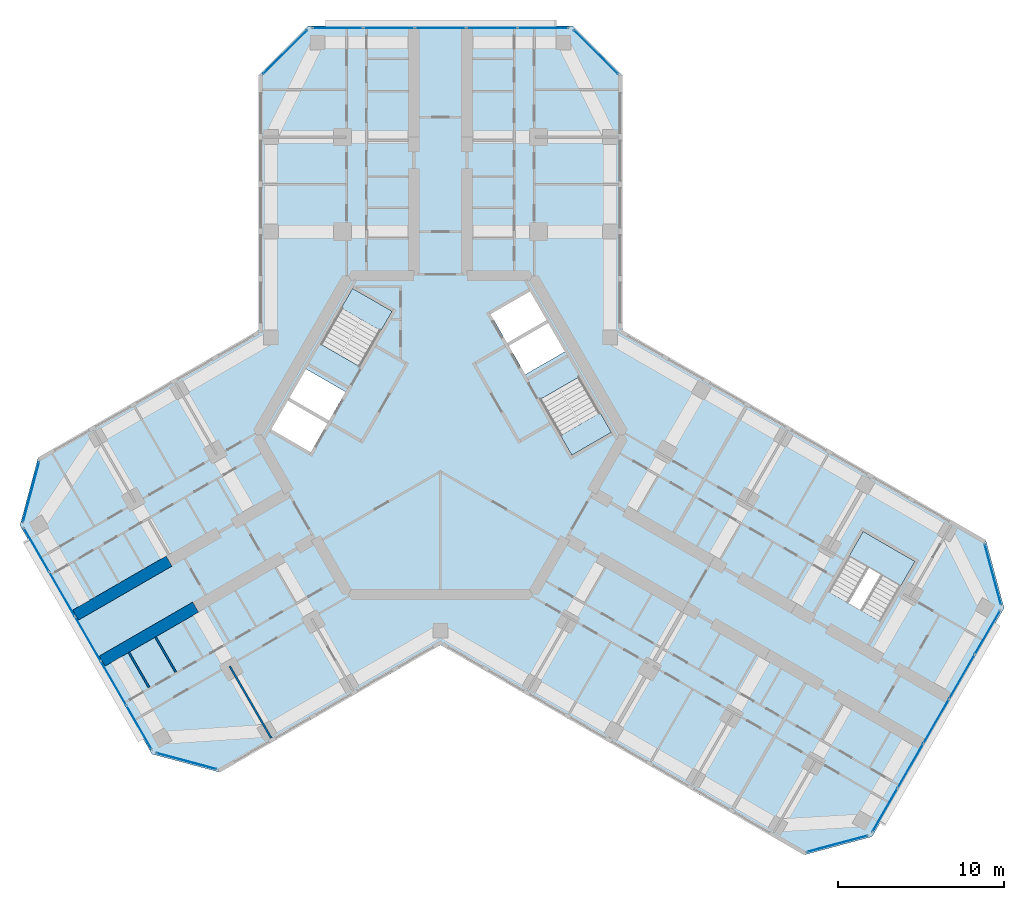
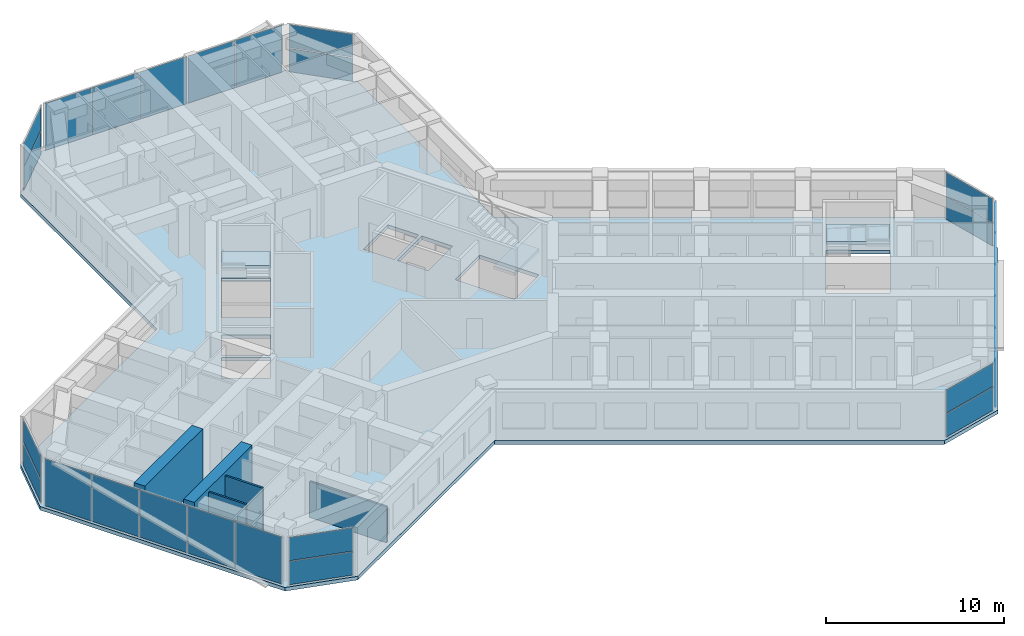
# One storey, part 7 of 16: 27 plates, 5 walls, 4 slabs, 12 elements without a shape of their own.
"""IFC4 building model written with IfcOpenShell, lengths in metres."""

from ifc_helpers import new_model, si_unit, direction, frame, frame_2d, origin, origin_2d, place, context, subcontext, project, spatial, polyline, rectangle, outline, extrude, material, layer, layer_set, type_object, element, aggregate, save


model = new_model("IFC4")

# Units and contexts
model_context = context("Model", 3, precision=1e-05, world=origin(), true_north=direction((0.0, 1.0)))
body_context = subcontext(model_context, "Body", "Model", "MODEL_VIEW")
ifc_project = project(units=[si_unit("LENGTHUNIT", "METRE"), si_unit("AREAUNIT", "SQUARE_METRE"), si_unit("VOLUMEUNIT", "CUBIC_METRE"), si_unit("PLANEANGLEUNIT", "RADIAN"), si_unit("MASSUNIT", "GRAM", prefix="KILO")], contexts=[model_context])

# Site, building, storey
site_placement = place(None, origin())
site = spatial("IfcSite", under=ifc_project, at=site_placement, CompositionType="ELEMENT")
building_placement = place(site_placement, origin())
building = spatial("IfcBuilding", under=site, at=building_placement, Name="Kosmar Iwan School Tower", CompositionType="ELEMENT")
storey_placement = place(building_placement, frame((0.0, 0.0, 197.39990234375)))
storey = spatial("IfcBuildingStorey", under=building, at=storey_placement, Name="L49", CompositionType="ELEMENT", Elevation=197.39990234375)

# Curtain wall, plates
ifc_material_1 = material(Name="Dark glass in black aluminium frame", Category="aluminium")
curtain_wall_type_1 = type_object("IfcCurtainWallType", Name="Chamfer curtain wall dark glass", PredefinedType="USERDEFINED", material=ifc_material_1)
curtain_wall_1_placement = place(storey_placement, origin())
curtain_wall_1 = element("IfcCurtainWall", 1, at=curtain_wall_1_placement, inside=storey, type_object=curtain_wall_type_1, Name="Curtain wall L49-F00", ObjectType="FACETED CURTAIN WALL", PredefinedType="USERDEFINED")
ifc_material_2 = material(Name="Dark glass", Category="glass")
ifc_layer_1 = layer(ifc_material_2, 0.028076171875)
ifc_layer_set_1 = layer_set([ifc_layer_1], Name="Dark glass panel 28")
plate_type = type_object("IfcPlateType", Name="Dark glass panel 28", PredefinedType="CURTAIN_PANEL", material=ifc_layer_set_1)
plate_1_placement = place(storey_placement, frame((23.908203125, -24.61328125, 0.06005859375), z_axis=(0.0, 0.0, 1.0), x_axis=(0.965925875495, 0.258818861462, 0.0)))
plate_1 = element("IfcPlate", 2, at=plate_1_placement, type_object=plate_type, Name="CW2 panel 1.1", PredefinedType="CURTAIN_PANEL", context=body_context, shape_type="SweptSolid", body=[
    extrude(rectangle(XDim=3.718994140625, YDim=0.028076171875, at=origin_2d()), origin(), (0.0, 0.0, 1.0), 1.5849609375),
])
plate_2_placement = place(storey_placement, frame((23.908203125, -24.61328125, 1.705078125), z_axis=(0.0, 0.0, 1.0), x_axis=(0.965925875495, 0.258818861462, 0.0)))
plate_2 = element("IfcPlate", 3, at=plate_2_placement, type_object=plate_type, Name="CW2 panel 1.2", PredefinedType="CURTAIN_PANEL", context=body_context, shape_type="SweptSolid", body=[
    extrude(rectangle(XDim=3.718994140625, YDim=0.028076171875, at=origin_2d()), origin(), (0.0, 0.0, 1.0), 1.5849609375),
])
aggregate(curtain_wall_1, [plate_1, plate_2])

ifc_material_3 = material(Name="Dark glass in black aluminium frame", Category="aluminium")
curtain_wall_type_2 = type_object("IfcCurtainWallType", Name="Tower curtain wall dark glass", PredefinedType="USERDEFINED", material=ifc_material_3)
curtain_wall_2_placement = place(storey_placement, origin())
curtain_wall_2 = element("IfcCurtainWall", 4, at=curtain_wall_2_placement, inside=storey, type_object=curtain_wall_type_2, Name="Curtain wall L49-F01", ObjectType="UNITISED CURTAIN WALL", PredefinedType="USERDEFINED")
plate_3_placement = place(storey_placement, frame((26.764404296875, -22.592529296875, 0.06005859375), z_axis=(0.0, 0.0, 1.0), x_axis=(0.499999997325, 0.866025405329, 0.0)))
plate_3 = element("IfcPlate", 5, at=plate_3_placement, type_object=plate_type, Name="CW1 panel 1.1", PredefinedType="CURTAIN_PANEL", context=body_context, shape_type="SweptSolid", body=[
    extrude(rectangle(XDim=3.00927734375, YDim=0.028076171875, at=origin_2d()), origin(), (0.0, 0.0, 1.0), 3.22998046875),
])
plate_4_placement = place(storey_placement, frame((28.306640625, -19.921630859375, 0.06005859375), z_axis=(0.0, 0.0, 1.0), x_axis=(0.499999997325, 0.866025405329, 0.0)))
plate_4 = element("IfcPlate", 6, at=plate_4_placement, type_object=plate_type, Name="CW1 panel 2.1", PredefinedType="CURTAIN_PANEL", context=body_context, shape_type="SweptSolid", body=[
    extrude(rectangle(XDim=3.039306640625, YDim=0.028076171875, at=origin_2d()), origin(), (0.0, 0.0, 1.0), 3.22998046875),
])
plate_5_placement = place(storey_placement, frame((29.856201171875, -17.237548828125, 0.06005859375), z_axis=(0.0, 0.0, 1.0), x_axis=(0.499999997325, 0.866025405329, 0.0)))
plate_5 = element("IfcPlate", 7, at=plate_5_placement, type_object=plate_type, Name="CW1 panel 3.1", PredefinedType="CURTAIN_PANEL", context=body_context, shape_type="SweptSolid", body=[
    extrude(rectangle(XDim=3.039306640625, YDim=0.028076171875, at=origin_2d()), origin(), (0.0, 0.0, 1.0), 3.22998046875),
])
plate_6_placement = place(storey_placement, frame((31.40576171875, -14.553466796875, 0.06005859375), z_axis=(0.0, 0.0, 1.0), x_axis=(0.499999997325, 0.866025405329, 0.0)))
plate_6 = element("IfcPlate", 8, at=plate_6_placement, type_object=plate_type, Name="CW1 panel 4.1", PredefinedType="CURTAIN_PANEL", context=body_context, shape_type="SweptSolid", body=[
    extrude(rectangle(XDim=3.039306640625, YDim=0.028076171875, at=origin_2d()), origin(), (0.0, 0.0, 1.0), 3.22998046875),
])
plate_7_placement = place(storey_placement, frame((32.947998046875, -11.88232421875, 0.06005859375), z_axis=(0.0, 0.0, 1.0), x_axis=(0.499999997325, 0.866025405329, 0.0)))
plate_7 = element("IfcPlate", 9, at=plate_7_placement, type_object=plate_type, Name="CW1 panel 5.1", PredefinedType="CURTAIN_PANEL", context=body_context, shape_type="SweptSolid", body=[
    extrude(rectangle(XDim=3.00927734375, YDim=0.028076171875, at=origin_2d()), origin(), (0.0, 0.0, 1.0), 3.22998046875),
])
aggregate(curtain_wall_2, [plate_3, plate_4, plate_5, plate_6, plate_7])

curtain_wall_3_placement = place(storey_placement, origin())
curtain_wall_3 = element("IfcCurtainWall", 10, at=curtain_wall_3_placement, inside=storey, type_object=curtain_wall_type_1, Name="Curtain wall L49-F02", ObjectType="FACETED CURTAIN WALL", PredefinedType="USERDEFINED")
plate_8_placement = place(storey_placement, frame((33.269775390625, -8.3984375, 0.06005859375), z_axis=(0.0, 0.0, 1.0), x_axis=(-0.258818861462, 0.965925875495, 0.0)))
plate_8 = element("IfcPlate", 11, at=plate_8_placement, type_object=plate_type, Name="CW2 panel 1.1", PredefinedType="CURTAIN_PANEL", context=body_context, shape_type="SweptSolid", body=[
    extrude(rectangle(XDim=3.718994140625, YDim=0.028076171875, at=origin_2d()), origin(), (0.0, 0.0, 1.0), 1.5849609375),
])
plate_9_placement = place(storey_placement, frame((33.269775390625, -8.3984375, 1.705078125), z_axis=(0.0, 0.0, 1.0), x_axis=(-0.258818861462, 0.965925875495, 0.0)))
plate_9 = element("IfcPlate", 12, at=plate_9_placement, type_object=plate_type, Name="CW2 panel 1.2", PredefinedType="CURTAIN_PANEL", context=body_context, shape_type="SweptSolid", body=[
    extrude(rectangle(XDim=3.718994140625, YDim=0.028076171875, at=origin_2d()), origin(), (0.0, 0.0, 1.0), 1.5849609375),
])
aggregate(curtain_wall_3, [plate_8, plate_9])

curtain_wall_4_placement = place(storey_placement, origin())
curtain_wall_4 = element("IfcCurtainWall", 13, at=curtain_wall_4_placement, inside=storey, type_object=curtain_wall_type_1, Name="Curtain wall L49-F05", ObjectType="FACETED CURTAIN WALL", PredefinedType="USERDEFINED")
plate_10_placement = place(storey_placement, frame((9.361572265625, 23.0615234375, 0.06005859375), z_axis=(0.0, 0.0, 1.0), x_axis=(-0.707106781187, 0.707106781187, 0.0)))
plate_10 = element("IfcPlate", 14, at=plate_10_placement, type_object=plate_type, Name="CW2 panel 1.1", PredefinedType="CURTAIN_PANEL", context=body_context, shape_type="SweptSolid", body=[
    extrude(rectangle(XDim=3.718994140625, YDim=0.028076171875, at=origin_2d()), origin(), (0.0, 0.0, 1.0), 1.5849609375),
])
plate_11_placement = place(storey_placement, frame((9.361572265625, 23.0615234375, 1.705078125), z_axis=(0.0, 0.0, 1.0), x_axis=(-0.707106781187, 0.707106781187, 0.0)))
plate_11 = element("IfcPlate", 15, at=plate_11_placement, type_object=plate_type, Name="CW2 panel 1.2", PredefinedType="CURTAIN_PANEL", context=body_context, shape_type="SweptSolid", body=[
    extrude(rectangle(XDim=3.718994140625, YDim=0.028076171875, at=origin_2d()), origin(), (0.0, 0.0, 1.0), 1.5849609375),
])
aggregate(curtain_wall_4, [plate_10, plate_11])

curtain_wall_5_placement = place(storey_placement, origin())
curtain_wall_5 = element("IfcCurtainWall", 16, at=curtain_wall_5_placement, inside=storey, type_object=curtain_wall_type_2, Name="Curtain wall L49-F06", ObjectType="UNITISED CURTAIN WALL", PredefinedType="USERDEFINED")
plate_12_placement = place(storey_placement, frame((6.18359375, 24.52490234375, 0.06005859375), z_axis=(0.0, 0.0, 1.0), x_axis=(-1.0, 0.0, 0.0)))
plate_12 = element("IfcPlate", 17, at=plate_12_placement, type_object=plate_type, Name="CW1 panel 1.1", PredefinedType="CURTAIN_PANEL", context=body_context, shape_type="SweptSolid", body=[
    extrude(rectangle(XDim=3.00927734375, YDim=0.028076171875, at=origin_2d()), origin(), (0.0, 0.0, 1.0), 3.22998046875),
])
plate_13_placement = place(storey_placement, frame((3.099365234375, 24.52490234375, 0.06005859375), z_axis=(0.0, 0.0, 1.0), x_axis=(-1.0, 0.0, 0.0)))
plate_13 = element("IfcPlate", 18, at=plate_13_placement, type_object=plate_type, Name="CW1 panel 2.1", PredefinedType="CURTAIN_PANEL", context=body_context, shape_type="SweptSolid", body=[
    extrude(rectangle(XDim=3.039306640625, YDim=0.028076171875, at=origin_2d()), origin(), (0.0, 0.0, 1.0), 3.22998046875),
])
plate_14_placement = place(storey_placement, frame((0.0, 24.52490234375, 0.06005859375), z_axis=(0.0, 0.0, 1.0), x_axis=(-1.0, 0.0, 0.0)))
plate_14 = element("IfcPlate", 19, at=plate_14_placement, type_object=plate_type, Name="CW1 panel 3.1", PredefinedType="CURTAIN_PANEL", context=body_context, shape_type="SweptSolid", body=[
    extrude(rectangle(XDim=3.039306640625, YDim=0.028076171875, at=origin_2d()), origin(), (0.0, 0.0, 1.0), 3.22998046875),
])
plate_15_placement = place(storey_placement, frame((-3.099365234375, 24.52490234375, 0.06005859375), z_axis=(0.0, 0.0, 1.0), x_axis=(-1.0, 0.0, 0.0)))
plate_15 = element("IfcPlate", 20, at=plate_15_placement, type_object=plate_type, Name="CW1 panel 4.1", PredefinedType="CURTAIN_PANEL", context=body_context, shape_type="SweptSolid", body=[
    extrude(rectangle(XDim=3.039306640625, YDim=0.028076171875, at=origin_2d()), origin(), (0.0, 0.0, 1.0), 3.22998046875),
])
plate_16_placement = place(storey_placement, frame((-6.18359375, 24.52490234375, 0.06005859375), z_axis=(0.0, 0.0, 1.0), x_axis=(-1.0, 0.0, 0.0)))
plate_16 = element("IfcPlate", 21, at=plate_16_placement, type_object=plate_type, Name="CW1 panel 5.1", PredefinedType="CURTAIN_PANEL", context=body_context, shape_type="SweptSolid", body=[
    extrude(rectangle(XDim=3.00927734375, YDim=0.028076171875, at=origin_2d()), origin(), (0.0, 0.0, 1.0), 3.22998046875),
])
aggregate(curtain_wall_5, [plate_12, plate_13, plate_14, plate_15, plate_16])

curtain_wall_6_placement = place(storey_placement, origin())
curtain_wall_6 = element("IfcCurtainWall", 22, at=curtain_wall_6_placement, inside=storey, type_object=curtain_wall_type_1, Name="Curtain wall L49-F07", ObjectType="FACETED CURTAIN WALL", PredefinedType="USERDEFINED")
plate_17_placement = place(storey_placement, frame((-9.361572265625, 23.0615234375, 0.06005859375), z_axis=(0.0, 0.0, 1.0), x_axis=(-0.707106781187, -0.707106781187, 0.0)))
plate_17 = element("IfcPlate", 23, at=plate_17_placement, type_object=plate_type, Name="CW2 panel 1.1", PredefinedType="CURTAIN_PANEL", context=body_context, shape_type="SweptSolid", body=[
    extrude(rectangle(XDim=3.718994140625, YDim=0.028076171875, at=origin_2d()), origin(), (0.0, 0.0, 1.0), 1.5849609375),
])
plate_18_placement = place(storey_placement, frame((-9.361572265625, 23.0615234375, 1.705078125), z_axis=(0.0, 0.0, 1.0), x_axis=(-0.707106781187, -0.707106781187, 0.0)))
plate_18 = element("IfcPlate", 24, at=plate_18_placement, type_object=plate_type, Name="CW2 panel 1.2", PredefinedType="CURTAIN_PANEL", context=body_context, shape_type="SweptSolid", body=[
    extrude(rectangle(XDim=3.718994140625, YDim=0.028076171875, at=origin_2d()), origin(), (0.0, 0.0, 1.0), 1.5849609375),
])
aggregate(curtain_wall_6, [plate_17, plate_18])

curtain_wall_7_placement = place(storey_placement, origin())
curtain_wall_7 = element("IfcCurtainWall", 25, at=curtain_wall_7_placement, inside=storey, type_object=curtain_wall_type_1, Name="Curtain wall L49-F10", ObjectType="FACETED CURTAIN WALL", PredefinedType="USERDEFINED")
plate_19_placement = place(storey_placement, frame((-24.65283203125, -3.42333984375, 0.06005859375), z_axis=(0.0, 0.0, 1.0), x_axis=(-0.258818861462, -0.965925875495, 0.0)))
plate_19 = element("IfcPlate", 26, at=plate_19_placement, type_object=plate_type, Name="CW2 panel 1.1", PredefinedType="CURTAIN_PANEL", context=body_context, shape_type="SweptSolid", body=[
    extrude(rectangle(XDim=3.718994140625, YDim=0.028076171875, at=origin_2d()), origin(), (0.0, 0.0, 1.0), 1.5849609375),
])
plate_20_placement = place(storey_placement, frame((-24.65283203125, -3.42333984375, 1.705078125), z_axis=(0.0, 0.0, 1.0), x_axis=(-0.258818861462, -0.965925875495, 0.0)))
plate_20 = element("IfcPlate", 27, at=plate_20_placement, type_object=plate_type, Name="CW2 panel 1.2", PredefinedType="CURTAIN_PANEL", context=body_context, shape_type="SweptSolid", body=[
    extrude(rectangle(XDim=3.718994140625, YDim=0.028076171875, at=origin_2d()), origin(), (0.0, 0.0, 1.0), 1.5849609375),
])
aggregate(curtain_wall_7, [plate_19, plate_20])

curtain_wall_8_placement = place(storey_placement, origin())
curtain_wall_8 = element("IfcCurtainWall", 28, at=curtain_wall_8_placement, inside=storey, type_object=curtain_wall_type_2, Name="Curtain wall L49-F11", ObjectType="UNITISED CURTAIN WALL", PredefinedType="USERDEFINED")
plate_21_placement = place(storey_placement, frame((-24.3310546875, -6.907470703125, 0.06005859375), z_axis=(0.0, 0.0, 1.0), x_axis=(0.499999997325, -0.866025405329, 0.0)))
plate_21 = element("IfcPlate", 29, at=plate_21_placement, type_object=plate_type, Name="CW1 panel 1.1", PredefinedType="CURTAIN_PANEL", context=body_context, shape_type="SweptSolid", body=[
    extrude(rectangle(XDim=3.00927734375, YDim=0.028076171875, at=origin_2d()), origin(), (0.0, 0.0, 1.0), 3.22998046875),
])
plate_22_placement = place(storey_placement, frame((-22.788818359375, -9.578369140625, 0.06005859375), z_axis=(0.0, 0.0, 1.0), x_axis=(0.499999997325, -0.866025405329, 0.0)))
plate_22 = element("IfcPlate", 30, at=plate_22_placement, type_object=plate_type, Name="CW1 panel 2.1", PredefinedType="CURTAIN_PANEL", context=body_context, shape_type="SweptSolid", body=[
    extrude(rectangle(XDim=3.039306640625, YDim=0.028076171875, at=origin_2d()), origin(), (0.0, 0.0, 1.0), 3.22998046875),
])
plate_23_placement = place(storey_placement, frame((-21.2392578125, -12.262451171875, 0.06005859375), z_axis=(0.0, 0.0, 1.0), x_axis=(0.499999997325, -0.866025405329, 0.0)))
plate_23 = element("IfcPlate", 31, at=plate_23_placement, type_object=plate_type, Name="CW1 panel 3.1", PredefinedType="CURTAIN_PANEL", context=body_context, shape_type="SweptSolid", body=[
    extrude(rectangle(XDim=3.039306640625, YDim=0.028076171875, at=origin_2d()), origin(), (0.0, 0.0, 1.0), 3.22998046875),
])
plate_24_placement = place(storey_placement, frame((-19.689697265625, -14.946533203125, 0.06005859375), z_axis=(0.0, 0.0, 1.0), x_axis=(0.499999997325, -0.866025405329, 0.0)))
plate_24 = element("IfcPlate", 32, at=plate_24_placement, type_object=plate_type, Name="CW1 panel 4.1", PredefinedType="CURTAIN_PANEL", context=body_context, shape_type="SweptSolid", body=[
    extrude(rectangle(XDim=3.039306640625, YDim=0.028076171875, at=origin_2d()), origin(), (0.0, 0.0, 1.0), 3.22998046875),
])
plate_25_placement = place(storey_placement, frame((-18.1474609375, -17.61767578125, 0.06005859375), z_axis=(0.0, 0.0, 1.0), x_axis=(0.499999997325, -0.866025405329, 0.0)))
plate_25 = element("IfcPlate", 33, at=plate_25_placement, type_object=plate_type, Name="CW1 panel 5.1", PredefinedType="CURTAIN_PANEL", context=body_context, shape_type="SweptSolid", body=[
    extrude(rectangle(XDim=3.00927734375, YDim=0.028076171875, at=origin_2d()), origin(), (0.0, 0.0, 1.0), 3.22998046875),
])
aggregate(curtain_wall_8, [plate_21, plate_22, plate_23, plate_24, plate_25])

curtain_wall_9_placement = place(storey_placement, origin())
curtain_wall_9 = element("IfcCurtainWall", 34, at=curtain_wall_9_placement, inside=storey, type_object=curtain_wall_type_1, Name="Curtain wall L49-F12", ObjectType="FACETED CURTAIN WALL", PredefinedType="USERDEFINED")
plate_26_placement = place(storey_placement, frame((-15.291015625, -19.63818359375, 0.06005859375), z_axis=(0.0, 0.0, 1.0), x_axis=(0.965925875495, -0.258818861462, 0.0)))
plate_26 = element("IfcPlate", 35, at=plate_26_placement, type_object=plate_type, Name="CW2 panel 1.1", PredefinedType="CURTAIN_PANEL", context=body_context, shape_type="SweptSolid", body=[
    extrude(rectangle(XDim=3.718994140625, YDim=0.028076171875, at=origin_2d()), origin(), (0.0, 0.0, 1.0), 1.5849609375),
])
plate_27_placement = place(storey_placement, frame((-15.291015625, -19.63818359375, 1.705078125), z_axis=(0.0, 0.0, 1.0), x_axis=(0.965925875495, -0.258818861462, 0.0)))
plate_27 = element("IfcPlate", 36, at=plate_27_placement, type_object=plate_type, Name="CW2 panel 1.2", PredefinedType="CURTAIN_PANEL", context=body_context, shape_type="SweptSolid", body=[
    extrude(rectangle(XDim=3.718994140625, YDim=0.028076171875, at=origin_2d()), origin(), (0.0, 0.0, 1.0), 1.5849609375),
])
aggregate(curtain_wall_9, [plate_26, plate_27])

# Stair, slab
ifc_material_4 = material(Name="Concrete C35/45", Category="concrete")
stair_type_1 = type_object("IfcStairType", Name="Escape stair 3600", PredefinedType="HALF_TURN_STAIR", material=ifc_material_4)
stair_1_placement = place(storey_placement, origin())
stair_1 = element("IfcStair", 37, at=stair_1_placement, inside=storey, type_object=stair_type_1, Name="Stair WS3 L49", PredefinedType="HALF_TURN_STAIR")
ifc_material_5 = material(Name="Concrete C35/45", Category="concrete")
ifc_layer_2 = layer(ifc_material_5, 0.199951171875)
ifc_layer_set_2 = layer_set([ifc_layer_2], Name="Escape stair landing 200")
slab_type_1 = type_object("IfcSlabType", Name="Escape stair landing 200", PredefinedType="LANDING", material=ifc_layer_set_2)
slab_1_placement = place(storey_placement, frame((0.0, 0.0, 1.60009765625)))
slab_1 = element("IfcSlab", 38, at=slab_1_placement, type_object=slab_type_1, Name="WS3 landing 1", PredefinedType="LANDING", context=body_context, shape_type="SweptSolid", body=[
    extrude(outline(polyline([(24.607421875, -7.27880859375), (27.72509765625, -9.078857421875), (28.574951171875, -7.606689453125), (25.457275390625, -5.806640625), (24.607421875, -7.27880859375)])), origin(), (0.0, 0.0, 1.0), 0.199951171875),
])
aggregate(stair_1, [slab_1])

# Slab
ifc_material_6 = material(Name="Concrete C35/45", Category="concrete")
ifc_layer_3 = layer(ifc_material_6, 0.25)
ifc_layer_set_3 = layer_set([ifc_layer_3], Name="Floor slab 250")
slab_type_2 = type_object("IfcSlabType", Name="Floor slab 250", PredefinedType="FLOOR", material=ifc_layer_set_3)
slab_2_placement = place(storey_placement, frame((0.0, 0.0, -0.25)))
element("IfcSlab", 39, at=slab_2_placement, inside=storey, type_object=slab_type_2, Name="L49 floor slab", PredefinedType="FLOOR", context=body_context, shape_type="SweptSolid", body=[
    extrude(outline(polyline([(21.891357421875, -25.282958984375), (25.989501953125, -24.184814453125), (33.939453125, -10.4150390625), (32.84130859375, -6.317138671875), (10.949951171875, 6.322021484375), (10.949951171875, 21.64990234375), (7.949951171875, 24.64990234375), (-7.949951171875, 24.64990234375), (-10.949951171875, 21.64990234375), (-10.949951171875, 6.322021484375), (-24.224365234375, -1.342041015625), (-25.322509765625, -5.440185546875), (-17.37255859375, -19.2099609375), (-13.2744140625, -20.307861328125), (0.0, -12.64404296875), (21.891357421875, -25.282958984375)]), holes=[polyline([(7.91259765625, -1.205078125), (10.294189453125, 0.169921875), (8.3642578125, 3.5126953125), (5.982666015625, 2.1376953125), (7.91259765625, -1.205078125)]), polyline([(-2.91259765625, 7.455078125), (-5.294189453125, 8.830078125), (-7.22412109375, 5.4873046875), (-4.8427734375, 4.1123046875), (-2.91259765625, 7.455078125)]), polyline([(-5.712646484375, 2.60546875), (-8.09423828125, 3.98046875), (-9.09423828125, 2.248291015625), (-6.712646484375, 0.873291015625), (-5.712646484375, 2.60546875)]), polyline([(-6.812744140625, 0.7001953125), (-9.1943359375, 2.0751953125), (-10.1943359375, 0.343017578125), (-7.812744140625, -1.031982421875), (-6.812744140625, 0.7001953125)]), polyline([(5.112548828125, 3.64453125), (7.494140625, 5.01953125), (6.494140625, 6.751708984375), (4.112548828125, 5.376708984375), (5.112548828125, 3.64453125)]), polyline([(4.0126953125, 5.5498046875), (6.394287109375, 6.9248046875), (5.394287109375, 8.656982421875), (3.0126953125, 7.281982421875), (4.0126953125, 5.5498046875)]), polyline([(23.367431640625, -9.426513671875), (26.485107421875, -11.2265625), (28.574951171875, -7.606689453125), (25.457275390625, -5.806640625), (23.367431640625, -9.426513671875)])]), origin(), (0.0, 0.0, 1.0), 0.25),
])

# Stair, slab
ifc_material_7 = material(Name="Concrete C35/45", Category="concrete")
stair_type_2 = type_object("IfcStairType", Name="Core stair 2750", PredefinedType="HALF_TURN_STAIR", material=ifc_material_7)
stair_2_placement = place(storey_placement, origin())
stair_2 = element("IfcStair", 40, at=stair_2_placement, inside=storey, type_object=stair_type_2, Name="Stair ST2 L49", PredefinedType="HALF_TURN_STAIR")
ifc_material_8 = material(Name="Concrete C35/45", Category="concrete")
ifc_layer_4 = layer(ifc_material_8, 0.199951171875)
ifc_layer_set_4 = layer_set([ifc_layer_4], Name="Stair landing 200")
slab_type_3 = type_object("IfcSlabType", Name="Stair landing 200", PredefinedType="LANDING", material=ifc_layer_set_4)
slab_3_placement = place(storey_placement, frame((0.0, 0.0, 1.60009765625)))
slab_3 = element("IfcSlab", 41, at=slab_3_placement, type_object=slab_type_3, Name="ST2 landing 1", PredefinedType="LANDING", context=body_context, shape_type="SweptSolid", body=[
    extrude(outline(polyline([(-2.91259765625, 7.455078125), (-5.294189453125, 8.830078125), (-5.97412109375, 7.65234375), (-3.5927734375, 6.27734375), (-2.91259765625, 7.455078125)])), origin(), (0.0, 0.0, 1.0), 0.199951171875),
])
aggregate(stair_2, [slab_3])

stair_3_placement = place(storey_placement, origin())
stair_3 = element("IfcStair", 42, at=stair_3_placement, inside=storey, type_object=stair_type_2, Name="Stair ST1 L49", PredefinedType="HALF_TURN_STAIR")
slab_4_placement = place(storey_placement, frame((0.0, 0.0, 1.60009765625)))
slab_4 = element("IfcSlab", 43, at=slab_4_placement, type_object=slab_type_3, Name="ST1 landing 1", PredefinedType="LANDING", context=body_context, shape_type="SweptSolid", body=[
    extrude(outline(polyline([(7.91259765625, -1.205078125), (10.294189453125, 0.169921875), (9.6142578125, 1.34765625), (7.232666015625, -0.02734375), (7.91259765625, -1.205078125)])), origin(), (0.0, 0.0, 1.0), 0.199951171875),
])
aggregate(stair_3, [slab_4])

# Walls
ifc_material_9 = material(Name="Concrete C50/60", Category="concrete")
ifc_layer_5 = layer(ifc_material_9, 0.699951171875)
ifc_layer_set_5 = layer_set([ifc_layer_5], Name="Corridor buttress wall 700")
wall_type_1 = type_object("IfcWallType", Name="Corridor buttress wall 700", PredefinedType="SHEAR", material=ifc_layer_set_5)
wall_1_placement = place(storey_placement, frame((-14.7451171875, -10.360595703125, 0.0), z_axis=(0.0, 0.0, 1.0), x_axis=(-0.866027848477, -0.499995765644, 0.0)))
element("IfcWall", 44, at=wall_1_placement, inside=storey, type_object=wall_type_1, Name="Corridor wall BL bay 2", PredefinedType="SHEAR", context=body_context, shape_type="SweptSolid", body=[
    extrude(rectangle(XDim=6.4951171875, YDim=0.699951171875, at=frame_2d((3.24755859375, 0.0))), origin(), (0.0, 0.0, 1.0), 3.60009765625),
])
wall_2_placement = place(storey_placement, frame((-16.34521484375, -7.58935546875, 0.0), z_axis=(0.0, 0.0, 1.0), x_axis=(-0.866018451174, -0.500012042081, 0.0)))
element("IfcWall", 45, at=wall_2_placement, inside=storey, type_object=wall_type_1, Name="Corridor wall BR bay 2", PredefinedType="SHEAR", context=body_context, shape_type="SweptSolid", body=[
    extrude(rectangle(XDim=6.494873046875, YDim=0.699951171875, at=frame_2d((3.24755859375, 0.0))), origin(), (0.0, 0.0, 1.0), 3.60009765625),
])
ifc_material_10 = material(Name="Gypsum board on steel studs", Category="steel")
ifc_layer_6 = layer(ifc_material_10, 0.1201171875)
ifc_layer_set_6 = layer_set([ifc_layer_6], Name="Dwelling partition 120")
wall_type_2 = type_object("IfcWallType", Name="Dwelling partition 120", PredefinedType="PARTITIONING", material=ifc_layer_set_6)
wall_3_placement = place(storey_placement, frame((-12.690185546875, -13.919921875, 0.0), z_axis=(0.0, 0.0, 1.0), x_axis=(0.500011847778, -0.866018563358, 0.0)))
element("IfcWall", 46, at=wall_3_placement, inside=storey, type_object=wall_type_2, Name="Partition L49-BL1-X2", PredefinedType="PARTITIONING", context=body_context, shape_type="SweptSolid", body=[
    extrude(rectangle(XDim=4.990234375, YDim=0.1201171875, at=frame_2d((2.4951171875, 0.0))), origin(), (0.0, 0.0, 1.0), 2.4501953125),
])
for number, where, z_axis, x_axis, name in (
    (47, (-17.16162109375, -12.159912109375, 0.0), (0.0, 0.0, 1.0), (0.500002508028, -0.866023955769, 0.0), "Partition L49-BL1-Y5"),
    (48, (-18.76708984375, -13.0869140625, 0.0), (0.0, 0.0, 1.0), (0.500002508028, -0.866023955769, 0.0), "Partition L49-BL1-Y6"),
):
    element("IfcWall", number, at=place(storey_placement, frame(where, z_axis=z_axis, x_axis=x_axis)), inside=storey, type_object=wall_type_2, Name=name, PredefinedType="PARTITIONING", context=body_context, shape_type="SweptSolid", body=[
        extrude(rectangle(XDim=2.43994140625, YDim=0.1201171875, at=frame_2d((1.219970703125, 0.0))), origin(), (0.0, 0.0, 1.0), 3.35009765625),
    ])

save(model, "model.ifc")
